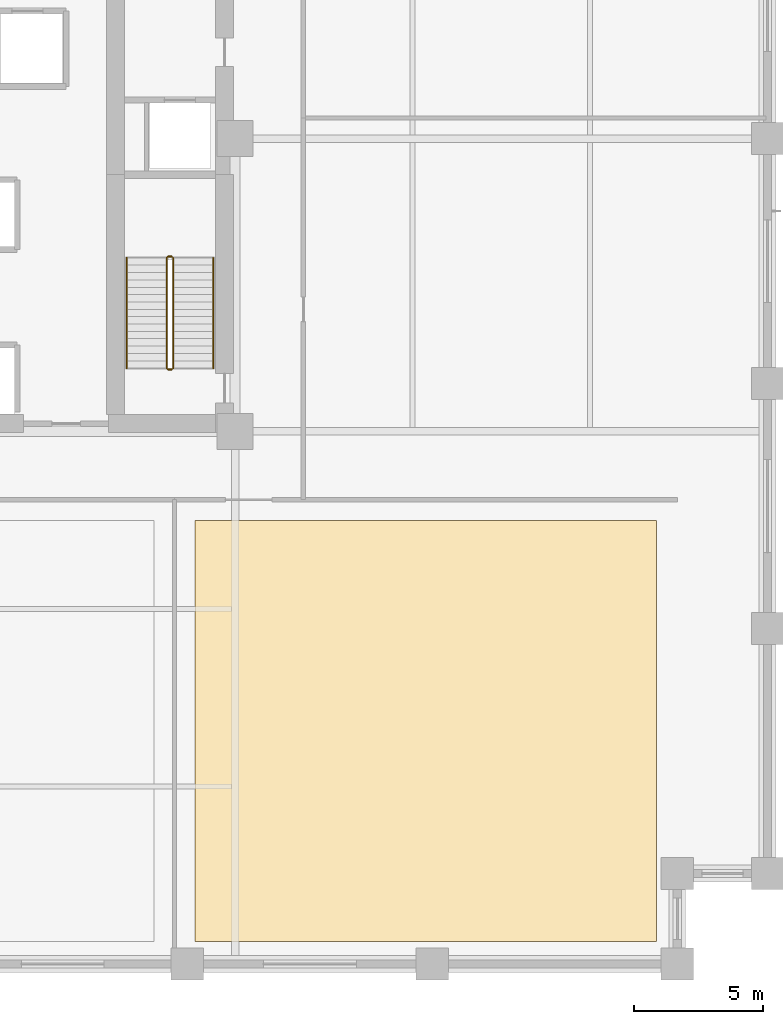
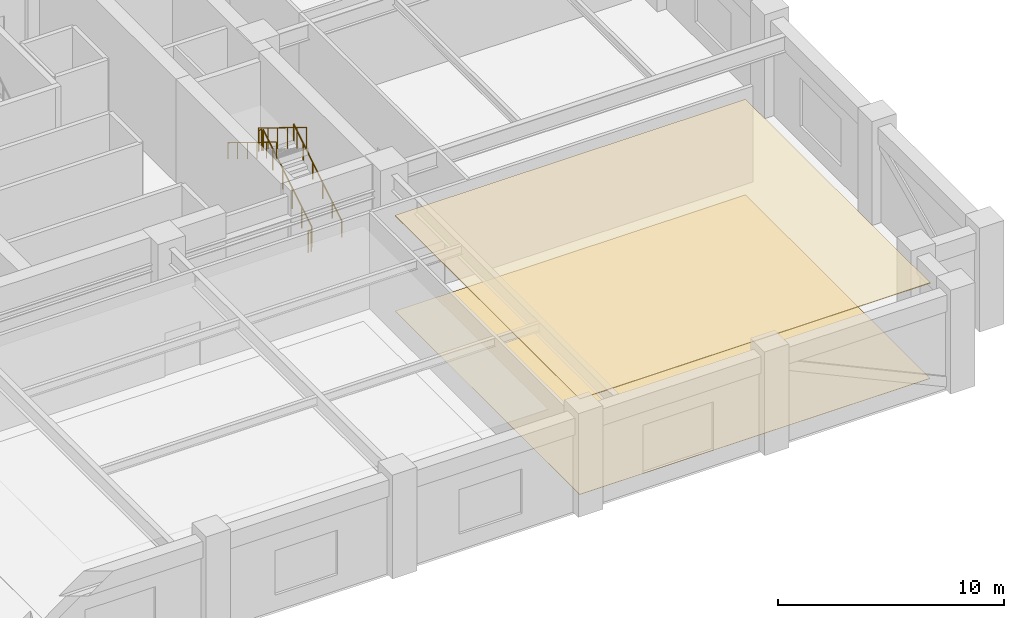
# One storey, part 12 of 14: 6 railings, 2 coverings.
"""IFC4 building model written with IfcOpenShell, lengths in metres."""

import ifcopenshell
import ifcopenshell.guid

model = None  # the IFC model being written
_history = None  # IfcOwnerHistory: only IFC2X3 demands one
_inside = {}  # id of a spatial element -> (the spatial element, [elements in it])
_under = {}  # id of a project, library or spatial element -> (it, [spatial elements below it])
_declared = {}  # id of a project -> (the project, [libraries it declares])
_typed = {}  # id of a type object -> (the type object, [elements of that type])
_made_of = {}  # id of a material, layer set ... -> (it, [elements and type objects made of it])


def new_model(schema):
    """Start an empty IFC model of exactly this schema.

    Asked for "IFC4X3", IfcOpenShell would pick the latest addendum, in which some entities
    have other attributes; the version numbers below select the first issue.
    IFC2X3 requires an IfcOwnerHistory on every rooted entity: one is made here for all.
    """
    global model, _history
    if schema == "IFC4X3":
        model = ifcopenshell.file(schema_version=(4, 3, 0, 0))
    else:
        model = ifcopenshell.file(schema=schema)
    _inside.clear()
    _under.clear()
    _declared.clear()
    _typed.clear()
    _made_of.clear()
    _history = None
    if model.schema == "IFC2X3":
        org = make("IfcOrganization", Name="unknown")
        user = make(
            "IfcPersonAndOrganization",
            ThePerson=make("IfcPerson", FamilyName="unknown"),
            TheOrganization=org,
        )
        app = make(
            "IfcApplication",
            ApplicationDeveloper=org,
            Version="unknown",
            ApplicationFullName="unknown",
            ApplicationIdentifier="unknown",
        )
        _history = make(
            "IfcOwnerHistory",
            OwningUser=user,
            OwningApplication=app,
            ChangeAction="ADDED",
            CreationDate=0,
        )
    return model


def make(cls, **values):
    """One entity of the class cls with the attributes given. An attribute that is None is left unset."""
    return model.create_entity(
        cls, **{name: value for name, value in values.items() if value is not None}
    )


def rooted(cls, **values):
    """An entity with a GlobalId (a new one), such as an element, a storey or a relation."""
    return make(cls, GlobalId=ifcopenshell.guid.new(), OwnerHistory=_history, **values)


def si_unit(unit_type, name, prefix=None):
    """IfcSIUnit, for example si_unit("LENGTHUNIT", "METRE", prefix="MILLI")."""
    return make("IfcSIUnit", UnitType=unit_type, Prefix=prefix, Name=name)


def assignment(units):
    """IfcUnitAssignment: the units of a project."""
    return None if units is None else make("IfcUnitAssignment", Units=units)


def point(xyz):
    """IfcCartesianPoint."""
    return None if xyz is None else make("IfcCartesianPoint", Coordinates=xyz)


def direction(xyz):
    """IfcDirection."""
    return None if xyz is None else make("IfcDirection", DirectionRatios=xyz)


def frame(location, z_axis=None, x_axis=None):
    """IfcAxis2Placement3D, a coordinate frame: its origin and axes. An axis left out is left unset."""
    return make(
        "IfcAxis2Placement3D",
        Location=point(location),
        Axis=direction(z_axis),
        RefDirection=direction(x_axis),
    )


def frame_2d(location, x_axis=None):
    """IfcAxis2Placement2D, a coordinate frame in the plane: its origin and x axis."""
    return make(
        "IfcAxis2Placement2D", Location=point(location), RefDirection=direction(x_axis)
    )


def origin():
    """The frame at (0, 0, 0) with its axes left unset."""
    return frame((0.0, 0.0, 0.0))


def origin_2d():
    """The frame at (0, 0) in the plane with its x axis left unset."""
    return frame_2d((0.0, 0.0))


def place(relative_to, where):
    """IfcLocalPlacement: puts the frame where relative to a parent placement (None: the world)."""
    return make(
        "IfcLocalPlacement", PlacementRelTo=relative_to, RelativePlacement=where
    )


def context(
    kind, dimensions, precision=None, world=None, true_north=None, identifier=None
):
    """IfcGeometricRepresentationContext, for example the 3D "Model" context."""
    return make(
        "IfcGeometricRepresentationContext",
        ContextIdentifier=identifier,
        ContextType=kind,
        CoordinateSpaceDimension=dimensions,
        Precision=precision,
        WorldCoordinateSystem=world,
        TrueNorth=true_north,
    )


def subcontext(parent, identifier, kind, view, scale=None):
    """IfcGeometricRepresentationSubContext, for example "Body" below "Model"."""
    return make(
        "IfcGeometricRepresentationSubContext",
        ContextIdentifier=identifier,
        ContextType=kind,
        ParentContext=parent,
        TargetScale=scale,
        TargetView=view,
    )


def project(units=None, contexts=None):
    """IfcProject with its units and contexts."""
    return rooted(
        "IfcProject",
        Name="project",
        RepresentationContexts=contexts,
        UnitsInContext=assignment(units),
    )


def spatial(cls, under=None, at=None, **own):
    """A site, building, storey or space (cls), placed at a placement, below another one or the project."""
    s = rooted(cls, ObjectPlacement=at, **own)
    if under is not None:
        _under.setdefault(under.id(), (under, []))[1].append(s)
    return s


def polyline(points):
    """IfcPolyline through the points."""
    return make("IfcPolyline", Points=[point(p) for p in points])


def profile(cls, at=None, kind="AREA", **sizes):
    """A parametric profile (cls). Its sizes go by their IFC names, for example OverallWidth=200.0."""
    return make(cls, ProfileType=kind, Position=at, **sizes)


def circle(**sizes):
    """IfcCircleProfileDef."""
    return profile("IfcCircleProfileDef", **sizes)


def outline(outer, holes=None, kind="AREA"):
    """IfcArbitraryClosedProfileDef: a profile drawn as a closed curve; with holes, ...WithVoids."""
    if holes is None:
        return make("IfcArbitraryClosedProfileDef", ProfileType=kind, OuterCurve=outer)
    return make(
        "IfcArbitraryProfileDefWithVoids",
        ProfileType=kind,
        OuterCurve=outer,
        InnerCurves=holes,
    )


def extrude(swept, where, along, depth):
    """IfcExtrudedAreaSolid: the profile swept, set in the frame where, extruded along a direction by depth."""
    return make(
        "IfcExtrudedAreaSolid",
        SweptArea=swept,
        Position=where,
        ExtrudedDirection=direction(along),
        Depth=depth,
    )


def shape(context_of_items, identifier, shape_type, items):
    """IfcShapeRepresentation: the items that make up one representation, for example the "Body"."""
    return make(
        "IfcShapeRepresentation",
        ContextOfItems=context_of_items,
        RepresentationIdentifier=identifier,
        RepresentationType=shape_type,
        Items=items,
    )


def material(Name=None, Category=None):
    """IfcMaterial."""
    return make("IfcMaterial", Name=Name, Category=Category)


def layer(
    of_material, thickness, ventilated=None, Name=None, Category=None, Priority=None
):
    """IfcMaterialLayer: one layer of a wall or slab, of a material (None: an air gap)."""
    return make(
        "IfcMaterialLayer",
        Material=of_material,
        LayerThickness=thickness,
        IsVentilated=ventilated,
        Name=Name,
        Category=Category,
        Priority=Priority,
    )


def layer_set(layers, Name=None):
    """IfcMaterialLayerSet."""
    return make("IfcMaterialLayerSet", MaterialLayers=layers, LayerSetName=Name)


def made_of(thing, what):
    """Note that an element or type object is made of a material, layer set ...; save() writes the relation."""
    if what is not None:
        _made_of.setdefault(what.id(), (what, []))[1].append(thing)
    return thing


def type_object(cls, material=None, **own):
    """A type object (cls), such as IfcWallType, which elements share."""
    return made_of(rooted(cls, **own), material)


def element(
    cls,
    number,
    at=None,
    inside=None,
    cuts=None,
    type_object=None,
    material=None,
    context=None,
    identifier="Body",
    shape_type=None,
    held_by="IfcProductDefinitionShape",
    body=None,
    shapes=None,
    **own,
):
    """One element of the class cls, such as IfcWall. Its Tag is "e" and its number.

    at: its placement. inside: the storey or other place that contains it. cuts: it is an
    opening in that element (IfcRelVoidsElement). A single representation is given by context,
    identifier, shape_type and body (its items); several are given by shapes. held_by: the class
    of the entity that holds the representations. save() writes the other relations.
    """
    e = rooted(cls, Tag="e%d" % number, ObjectPlacement=at, **own)
    if body is not None:
        shapes = [shape(context, identifier, shape_type, body)]
    if shapes is not None:
        e.Representation = make(held_by, Representations=shapes)
    if inside is not None:
        _inside.setdefault(inside.id(), (inside, []))[1].append(e)
    if cuts is not None:
        rooted(
            "IfcRelVoidsElement", RelatingBuildingElement=cuts, RelatedOpeningElement=e
        )
    if type_object is not None:
        _typed.setdefault(type_object.id(), (type_object, []))[1].append(e)
    return made_of(e, material)


def aggregate(whole, parts):
    """IfcRelAggregates: a whole, such as a stair, and the parts it consists of."""
    return rooted("IfcRelAggregates", RelatingObject=whole, RelatedObjects=parts)


def save(model, path):
    """Write the relations noted so far, then the file.

    IfcRelAggregates (storeys below a building ...), IfcRelContainedInSpatialStructure (elements
    in a storey), IfcRelDefinesByType, IfcRelAssociatesMaterial and IfcRelDeclares: one each for
    every whole, place, type object, material and project.
    """
    for whole, parts in _under.values():
        aggregate(whole, parts)
    for where, things in _inside.values():
        rooted(
            "IfcRelContainedInSpatialStructure",
            RelatedElements=things,
            RelatingStructure=where,
        )
    for kind, things in _typed.values():
        rooted("IfcRelDefinesByType", RelatedObjects=things, RelatingType=kind)
    for what, things in _made_of.values():
        rooted("IfcRelAssociatesMaterial", RelatedObjects=things, RelatingMaterial=what)
    for by, libraries in _declared.values():
        rooted("IfcRelDeclares", RelatingContext=by, RelatedDefinitions=libraries)
    model.write(path)


model = new_model("IFC4")

# Units and contexts
model_context = context("Model", 3, precision=1e-05, world=origin(), true_north=direction((0.0, 1.0)))
body_context = subcontext(model_context, "Body", "Model", "MODEL_VIEW")
ifc_project = project(units=[si_unit("LENGTHUNIT", "METRE"), si_unit("AREAUNIT", "SQUARE_METRE"), si_unit("VOLUMEUNIT", "CUBIC_METRE"), si_unit("PLANEANGLEUNIT", "RADIAN"), si_unit("MASSUNIT", "GRAM", prefix="KILO")], contexts=[model_context])

# Site, building, storey
site_placement = place(None, origin())
site = spatial("IfcSite", under=ifc_project, at=site_placement, CompositionType="ELEMENT")
building_placement = place(site_placement, origin())
building = spatial("IfcBuilding", under=site, at=building_placement, Name="Nhamokura Convention Tower", CompositionType="ELEMENT")
storey_placement = place(building_placement, frame((0.0, 0.0, 23.800048828125)))
storey = spatial("IfcBuildingStorey", under=building, at=storey_placement, Name="L04", CompositionType="ELEMENT", Elevation=23.800048828125)

# Covering
ifc_material_1 = material(Name="Anodised bronze aluminium ceiling baffle", Category="aluminium")
ifc_layer_1 = layer(ifc_material_1, 0.0400390625)
ifc_layer_set_1 = layer_set([ifc_layer_1], Name="BronzeBaffleCeiling_40")
covering_type_1 = type_object("IfcCoveringType", Name="BronzeBaffleCeiling_40", PredefinedType="CEILING", material=ifc_layer_set_1)
covering_1_placement = place(storey_placement, frame((0.0, 0.0, 5.139892578125)))
element("IfcCovering", 1, at=covering_1_placement, inside=storey, type_object=covering_type_1, Name="L04 Suspended Ceiling 04", PredefinedType="CEILING", context=body_context, shape_type="SweptSolid", body=[
    extrude(outline(polyline([(41.800048828125, 0.860107421875), (59.699951171875, 0.860107421875), (59.699951171875, 17.199951171875), (41.800048828125, 17.199951171875), (41.800048828125, 0.860107421875)])), origin(), (0.0, 0.0, 1.0), 0.0400390625),
])

# Railings
ifc_material_2 = material(Name="Anodised bronze stainless steel", Category="steel")
railing_type_1 = type_object("IfcRailingType", Name="StairWallHandrail_900", PredefinedType="HANDRAIL", material=ifc_material_2)
railing_1_placement = place(storey_placement, frame((42.5, 23.10009765625, 0.175048828125)))
element("IfcRailing", 2, at=railing_1_placement, inside=storey, type_object=railing_type_1, Name="L04 ST-02 stair handrail 1", PredefinedType="HANDRAIL", context=body_context, shape_type="SweptSolid", body=[
    extrude(circle(Radius=0.02392578125, at=origin_2d()), frame((0.0, 0.0, 0.8759765625), z_axis=(0.0, 0.852165895541, 0.523271713813), x_axis=(-1.0, 0.0, 0.0)), (0.0, 0.0, 1.0), 5.0166015625),
    extrude(circle(Radius=0.02099609375, at=origin_2d()), origin(), (0.0, 0.0, 1.0), 0.851806640625),
    extrude(circle(Radius=0.02099609375, at=origin_2d()), frame((0.0, 0.85498046875, 0.52490234375)), (0.0, 0.0, 1.0), 0.851806640625),
    extrude(circle(Radius=0.02099609375, at=origin_2d()), frame((0.0, 1.7099609375, 1.050048828125)), (0.0, 0.0, 1.0), 0.851806640625),
    extrude(circle(Radius=0.02099609375, at=origin_2d()), frame((0.0, 2.56494140625, 1.574951171875)), (0.0, 0.0, 1.0), 0.851806640625),
    extrude(circle(Radius=0.02099609375, at=origin_2d()), frame((0.0, 3.419921875, 2.10009765625)), (0.0, 0.0, 1.0), 0.851806640625),
    extrude(circle(Radius=0.02099609375, at=origin_2d()), frame((0.0, 4.27490234375, 2.625)), (0.0, 0.0, 1.0), 0.851806640625),
])
railing_2_placement = place(storey_placement, frame((39.14990234375, 27.375, 2.974853515625)))
element("IfcRailing", 3, at=railing_2_placement, inside=storey, type_object=railing_type_1, Name="L04 ST-02 stair handrail 2", PredefinedType="HANDRAIL", context=body_context, shape_type="SweptSolid", body=[
    extrude(circle(Radius=0.02392578125, at=origin_2d()), frame((0.0, 0.0, 0.8759765625), z_axis=(0.0, -0.852165895541, 0.523271713813), x_axis=(1.0, 0.0, 0.0)), (0.0, 0.0, 1.0), 5.0166015625),
    extrude(circle(Radius=0.02099609375, at=origin_2d()), origin(), (0.0, 0.0, 1.0), 0.851806640625),
    extrude(circle(Radius=0.02099609375, at=origin_2d()), frame((0.0, -0.85498046875, 0.52490234375)), (0.0, 0.0, 1.0), 0.851806640625),
    extrude(circle(Radius=0.02099609375, at=origin_2d()), frame((0.0, -1.7099609375, 1.050048828125)), (0.0, 0.0, 1.0), 0.851806640625),
    extrude(circle(Radius=0.02099609375, at=origin_2d()), frame((0.0, -2.56494140625, 1.574951171875)), (0.0, 0.0, 1.0), 0.851806640625),
    extrude(circle(Radius=0.02099609375, at=origin_2d()), frame((0.0, -3.419921875, 2.10009765625)), (0.0, 0.0, 1.0), 0.851806640625),
    extrude(circle(Radius=0.02099609375, at=origin_2d()), frame((0.0, -4.27490234375, 2.625)), (0.0, 0.0, 1.0), 0.851806640625),
])
ifc_material_3 = material(Name="Painted tubular steel", Category="steel")
railing_type_2 = type_object("IfcRailingType", Name="StairWellGuardrail_1150", PredefinedType="GUARDRAIL", material=ifc_material_3)
railing_3_placement = place(storey_placement, frame((40.949951171875, 23.10009765625, 0.175048828125)))
element("IfcRailing", 4, at=railing_3_placement, inside=storey, type_object=railing_type_2, Name="L04 ST-02 stair guard 1", PredefinedType="GUARDRAIL", context=body_context, shape_type="SweptSolid", body=[
    extrude(circle(Radius=0.02392578125, at=origin_2d()), frame((0.0, 0.0, 1.1259765625), z_axis=(0.0, 0.852165895541, 0.523271713813), x_axis=(-1.0, 0.0, 0.0)), (0.0, 0.0, 1.0), 5.0166015625),
    extrude(circle(Radius=0.02099609375, at=origin_2d()), origin(), (0.0, 0.0, 1.0), 1.101806640625),
    extrude(circle(Radius=0.02099609375, at=origin_2d()), frame((0.0, 0.85498046875, 0.52490234375)), (0.0, 0.0, 1.0), 1.101806640625),
    extrude(circle(Radius=0.02099609375, at=origin_2d()), frame((0.0, 1.7099609375, 1.050048828125)), (0.0, 0.0, 1.0), 1.101806640625),
    extrude(circle(Radius=0.02099609375, at=origin_2d()), frame((0.0, 2.56494140625, 1.574951171875)), (0.0, 0.0, 1.0), 1.101806640625),
    extrude(circle(Radius=0.02099609375, at=origin_2d()), frame((0.0, 3.419921875, 2.10009765625)), (0.0, 0.0, 1.0), 1.101806640625),
    extrude(circle(Radius=0.02099609375, at=origin_2d()), frame((0.0, 4.27490234375, 2.625)), (0.0, 0.0, 1.0), 1.101806640625),
])
railing_4_placement = place(storey_placement, frame((40.89990234375, 27.425048828125, 2.800048828125)))
element("IfcRailing", 5, at=railing_4_placement, inside=storey, type_object=railing_type_2, Name="L04 ST-02 stair guard 2", PredefinedType="GUARDRAIL", context=body_context, shape_type="SweptSolid", body=[
    extrude(circle(Radius=0.02392578125, at=origin_2d()), frame((0.0, 0.0, 1.1259765625), z_axis=(-1.0, 0.0, 0.0), x_axis=(0.0, -1.0, 0.0)), (0.0, 0.0, 1.0), 0.14990234375),
    extrude(circle(Radius=0.02099609375, at=origin_2d()), origin(), (0.0, 0.0, 1.0), 1.101806640625),
    extrude(circle(Radius=0.02099609375, at=origin_2d()), frame((-0.14990234375, 0.0, 0.0)), (0.0, 0.0, 1.0), 1.101806640625),
])
railing_5_placement = place(storey_placement, frame((40.699951171875, 27.375, 2.974853515625)))
element("IfcRailing", 6, at=railing_5_placement, inside=storey, type_object=railing_type_2, Name="L04 ST-02 stair guard 3", PredefinedType="GUARDRAIL", context=body_context, shape_type="SweptSolid", body=[
    extrude(circle(Radius=0.02392578125, at=origin_2d()), frame((0.0, 0.0, 1.1259765625), z_axis=(0.0, -0.852165895541, 0.523271713813), x_axis=(1.0, 0.0, 0.0)), (0.0, 0.0, 1.0), 5.0166015625),
    extrude(circle(Radius=0.02099609375, at=origin_2d()), origin(), (0.0, 0.0, 1.0), 1.101806640625),
    extrude(circle(Radius=0.02099609375, at=origin_2d()), frame((0.0, -0.85498046875, 0.52490234375)), (0.0, 0.0, 1.0), 1.101806640625),
    extrude(circle(Radius=0.02099609375, at=origin_2d()), frame((0.0, -1.7099609375, 1.050048828125)), (0.0, 0.0, 1.0), 1.101806640625),
    extrude(circle(Radius=0.02099609375, at=origin_2d()), frame((0.0, -2.56494140625, 1.574951171875)), (0.0, 0.0, 1.0), 1.101806640625),
    extrude(circle(Radius=0.02099609375, at=origin_2d()), frame((0.0, -3.419921875, 2.10009765625)), (0.0, 0.0, 1.0), 1.101806640625),
    extrude(circle(Radius=0.02099609375, at=origin_2d()), frame((0.0, -4.27490234375, 2.625)), (0.0, 0.0, 1.0), 1.101806640625),
])
railing_6_placement = place(storey_placement, frame((40.89990234375, 23.050048828125, 0.0)))
element("IfcRailing", 7, at=railing_6_placement, inside=storey, type_object=railing_type_2, Name="L04 ST-02 stair guard 4", PredefinedType="GUARDRAIL", context=body_context, shape_type="SweptSolid", body=[
    extrude(circle(Radius=0.02392578125, at=origin_2d()), frame((0.0, 0.0, 1.1259765625), z_axis=(-1.0, 0.0, 0.0), x_axis=(0.0, -1.0, 0.0)), (0.0, 0.0, 1.0), 0.14990234375),
    extrude(circle(Radius=0.02099609375, at=origin_2d()), origin(), (0.0, 0.0, 1.0), 1.101806640625),
    extrude(circle(Radius=0.02099609375, at=origin_2d()), frame((-0.14990234375, 0.0, 0.0)), (0.0, 0.0, 1.0), 1.101806640625),
])

# Covering
ifc_material_4 = material(Name="Acoustic woven hospitality carpet", Category="wood")
ifc_layer_2 = layer(ifc_material_4, 0.014892578125)
ifc_layer_set_2 = layer_set([ifc_layer_2], Name="WovenCarpetFlooring_15")
covering_type_2 = type_object("IfcCoveringType", Name="WovenCarpetFlooring_15", PredefinedType="FLOORING", material=ifc_layer_set_2)
covering_2_placement = place(storey_placement, origin())
element("IfcCovering", 8, at=covering_2_placement, inside=storey, type_object=covering_type_2, Name="L04 Finish Flooring 04", PredefinedType="FLOORING", context=body_context, shape_type="SweptSolid", body=[
    extrude(outline(polyline([(41.800048828125, 0.860107421875), (59.699951171875, 0.860107421875), (59.699951171875, 17.199951171875), (41.800048828125, 17.199951171875), (41.800048828125, 0.860107421875)])), origin(), (0.0, 0.0, 1.0), 0.014892578125),
])

save(model, "model.ifc")
